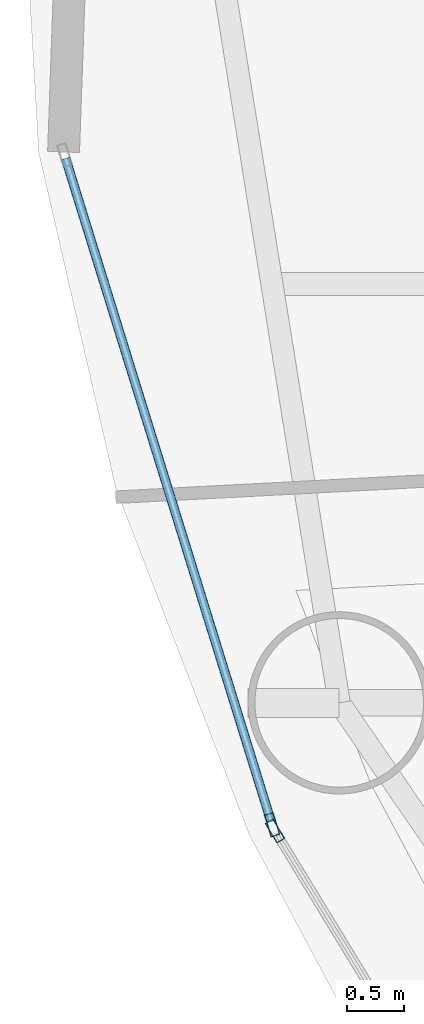
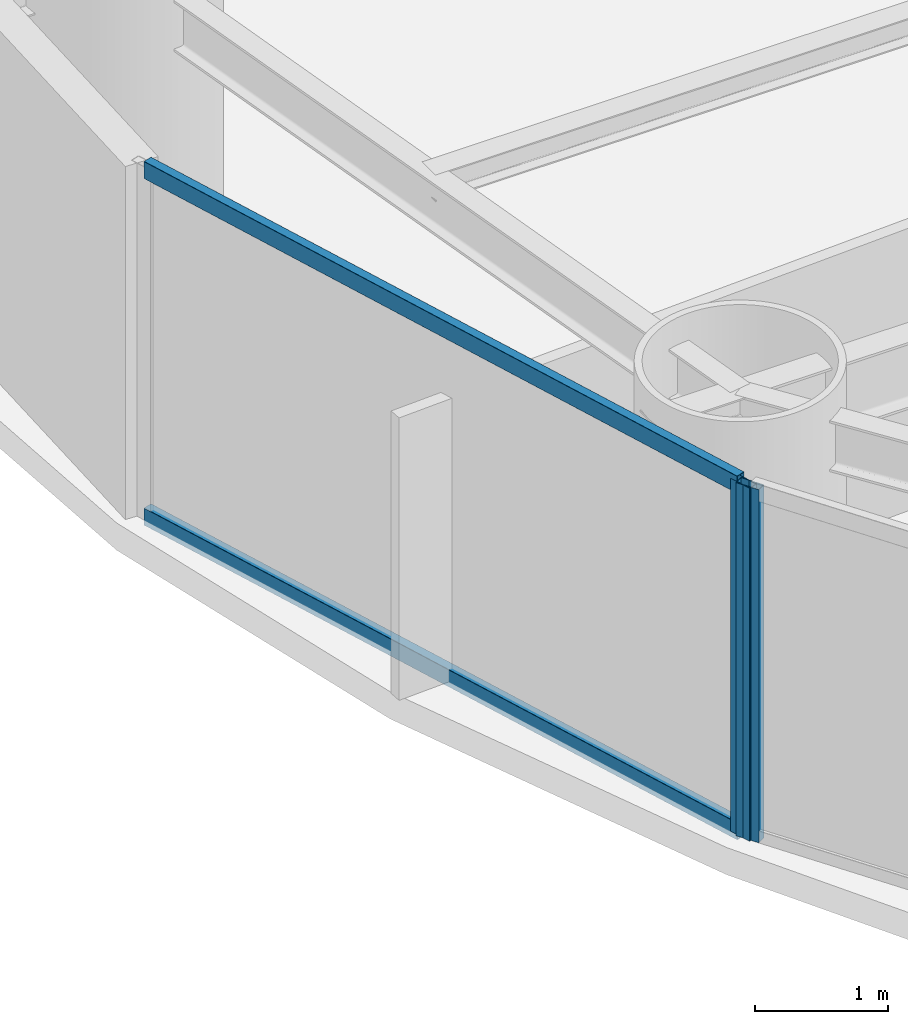
# One storey, part 4 of 30: 4 members, 2 elements without a shape of their own.
"""IFC4 building model written with IfcOpenShell, lengths in metres."""

from ifc_helpers import new_model, si_unit, direction, frame, origin, origin_2d, place, context, subcontext, project, spatial, hollow_rectangle, extrude, material, layer, layer_set, material_profile, profile_set, type_object, element, aggregate, save


model = new_model("IFC4")

# Units and contexts
model_context = context("Model", 3, precision=1e-05, world=origin(), true_north=direction((0.0, 1.0)))
body_context = subcontext(model_context, "Body", "Model", "MODEL_VIEW")
ifc_project = project(units=[si_unit("LENGTHUNIT", "METRE"), si_unit("AREAUNIT", "SQUARE_METRE"), si_unit("VOLUMEUNIT", "CUBIC_METRE"), si_unit("PLANEANGLEUNIT", "RADIAN"), si_unit("MASSUNIT", "GRAM", prefix="KILO")], contexts=[model_context])

# Site, building, storey
site_placement = place(None, origin())
site = spatial("IfcSite", under=ifc_project, at=site_placement, CompositionType="ELEMENT")
building_placement = place(site_placement, origin())
building = spatial("IfcBuilding", under=site, at=building_placement, Name="Bramvorn Convention Spire", CompositionType="ELEMENT")
storey_placement = place(building_placement, frame((0.0, 0.0, 86.89990234375)))
storey = spatial("IfcBuildingStorey", under=building, at=storey_placement, Name="L20", CompositionType="ELEMENT", Elevation=86.89990234375)

# Curtain wall, member
ifc_material_1 = material(Name="Anodised Bronze Unitised Curtain Wall", Category="aluminium")
ifc_layer = layer(ifc_material_1, 0.179931640625)
ifc_layer_set = layer_set([ifc_layer], Name="Anodised Bronze Unitised Curtain Wall - CW-HTL-FRIT")
curtain_wall_type = type_object("IfcCurtainWallType", Name="CW-HTL-FRIT", PredefinedType="USERDEFINED", material=ifc_layer_set)
curtain_wall_1_placement = place(storey_placement, origin())
curtain_wall_1 = element("IfcCurtainWall", 1, at=curtain_wall_1_placement, inside=storey, type_object=curtain_wall_type, Name="L20 fritted glass curtain wall 14", ObjectType="UNITISED CURTAIN WALL", PredefinedType="USERDEFINED")
ifc_material_2 = material(Name="Anodised Bronze Aluminium 6063-T6", Category="aluminium")
ifc_material_profile_1 = material_profile(ifc_material_2, hollow_rectangle(XDim=0.080078125, YDim=0.199951171875, WallThickness=0.00390625, InnerFilletRadius=0.0009765625, OuterFilletRadius=0.00390625, at=origin_2d()))
ifc_profile_set_1 = profile_set([ifc_material_profile_1], Name="Anodised Bronze Aluminium 6063-T6 - CWM80X200")
member_type_1 = type_object("IfcMemberType", Name="CW-MUL-180", PredefinedType="MULLION", material=ifc_profile_set_1)
member_1_placement = place(storey_placement, frame((10.072021484375, 21.58984375, 0.0), z_axis=(0.0, 0.0, 1.0), x_axis=(-0.95516715956, -0.296067048654, 0.0)))
member_1 = element("IfcMember", 2, at=member_1_placement, type_object=member_type_1, Name="CW2 mullion 1", PredefinedType="MULLION", context=body_context, shape_type="SweptSolid", body=[
    extrude(hollow_rectangle(XDim=0.080078125, YDim=0.199951171875, WallThickness=0.00390625, InnerFilletRadius=0.0009765625, OuterFilletRadius=0.00390625, at=origin_2d()), origin(), (0.0, 0.0, 1.0), 3.25),
])

curtain_wall_2_placement = place(storey_placement, origin())
curtain_wall_2 = element("IfcCurtainWall", 3, at=curtain_wall_2_placement, inside=storey, type_object=curtain_wall_type, Name="L20 fritted glass curtain wall 15", ObjectType="UNITISED CURTAIN WALL", PredefinedType="USERDEFINED")
member_2_placement = place(storey_placement, frame((10.0966796875, 21.53564453125, 0.0), z_axis=(0.0, 0.0, 1.0), x_axis=(-0.854123391062, -0.520070411426, 0.0)))
member_2 = element("IfcMember", 4, at=member_2_placement, type_object=member_type_1, Name="CW2 mullion 2", PredefinedType="MULLION", context=body_context, shape_type="SweptSolid", body=[
    extrude(hollow_rectangle(XDim=0.080078125, YDim=0.199951171875, WallThickness=0.00390625, InnerFilletRadius=0.0009765625, OuterFilletRadius=0.00390625, at=origin_2d()), origin(), (0.0, 0.0, 1.0), 3.25),
])
aggregate(curtain_wall_2, [member_2])

# Member
ifc_material_profile_2 = material_profile(ifc_material_2, hollow_rectangle(XDim=0.080078125, YDim=0.159912109375, WallThickness=0.00390625, InnerFilletRadius=0.0009765625, OuterFilletRadius=0.00390625, at=origin_2d()))
ifc_profile_set_2 = profile_set([ifc_material_profile_2], Name="Anodised Bronze Aluminium 6063-T6 - CWT80X160")
member_type_2 = type_object("IfcMemberType", Name="CW-TRN-150", PredefinedType="USERDEFINED", material=ifc_profile_set_2)
member_3_placement = place(storey_placement, frame((10.063232421875, 21.61865234375, 0.030029296875), z_axis=(-0.296079027542, 0.955163446458, 0.0), x_axis=(-0.955163446458, -0.296079027542, 0.0)))
member_3 = element("IfcMember", 5, at=member_3_placement, type_object=member_type_2, Name="CW2 transom 1.1", ObjectType="TRANSOM", PredefinedType="USERDEFINED", context=body_context, shape_type="SweptSolid", body=[
    extrude(hollow_rectangle(XDim=0.080078125, YDim=0.159912109375, WallThickness=0.00390625, InnerFilletRadius=0.0009765625, OuterFilletRadius=0.00390625, at=origin_2d()), origin(), (0.0, 0.0, 1.0), 6.092041015625),
])

member_4_placement = place(storey_placement, frame((10.063232421875, 21.61865234375, 3.22021484375), z_axis=(-0.296079027542, 0.955163446458, 0.0), x_axis=(-0.955163446458, -0.296079027542, 0.0)))
member_4 = element("IfcMember", 6, at=member_4_placement, type_object=member_type_2, Name="CW2 transom 1.2", ObjectType="TRANSOM", PredefinedType="USERDEFINED", context=body_context, shape_type="SweptSolid", body=[
    extrude(hollow_rectangle(XDim=0.080078125, YDim=0.159912109375, WallThickness=0.00390625, InnerFilletRadius=0.0009765625, OuterFilletRadius=0.00390625, at=origin_2d()), origin(), (0.0, 0.0, 1.0), 6.092041015625),
])

aggregate(curtain_wall_1, [member_1, member_3, member_4])

save(model, "model.ifc")
